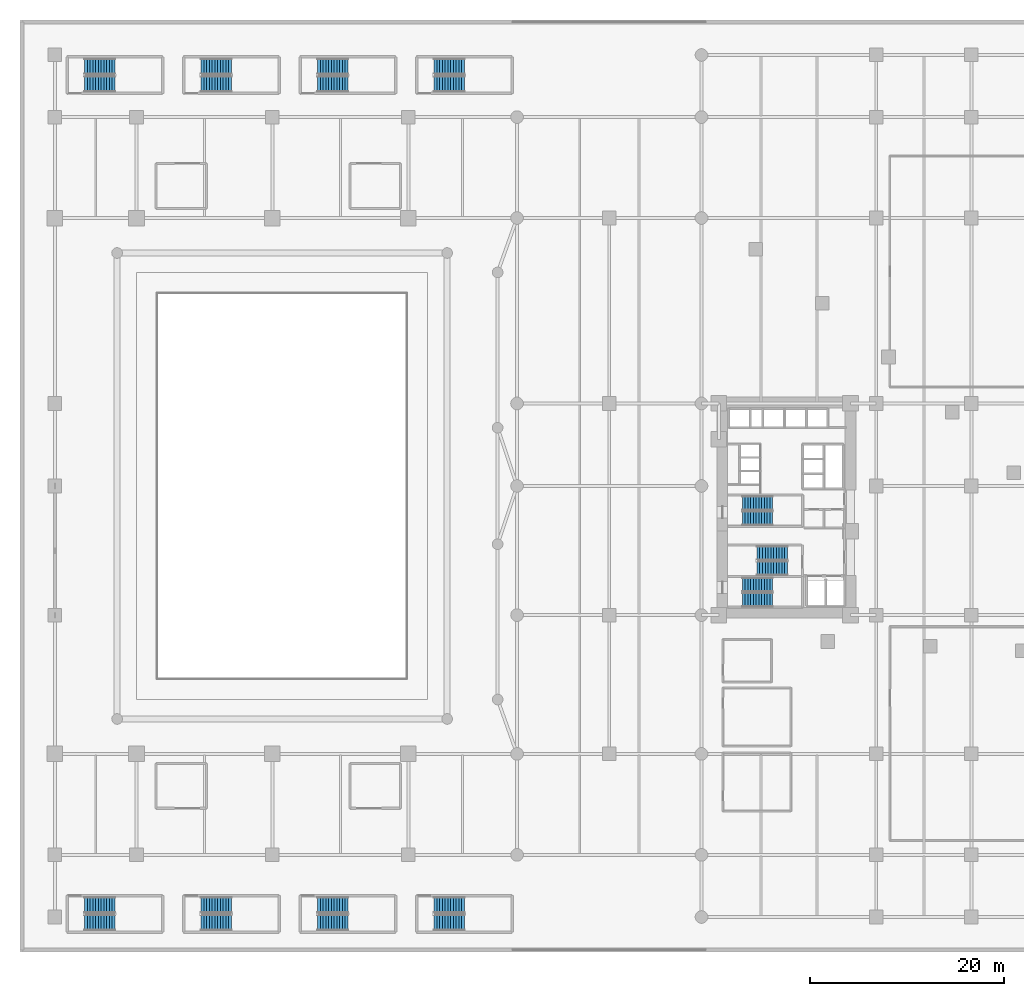
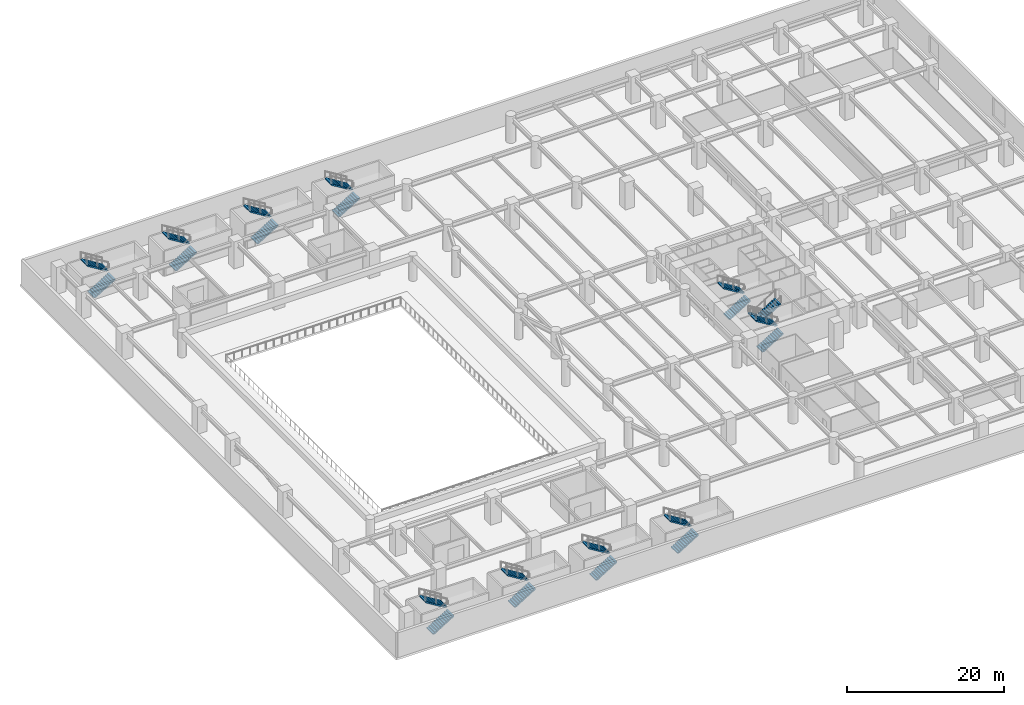
# One storey, part 15 of 25: 22 stair flights, 11 elements without a shape of their own.
"""IFC4 building model written with IfcOpenShell, lengths in metres."""

from ifc_helpers import new_model, si_unit, direction, frame, origin, place, context, subcontext, project, spatial, polyline, outline, extrude, material, type_object, element, aggregate, save


model = new_model("IFC4")

# Units and contexts
model_context = context("Model", 3, precision=1e-05, world=origin(), true_north=direction((0.0, 1.0)))
body_context = subcontext(model_context, "Body", "Model", "MODEL_VIEW")
ifc_project = project(units=[si_unit("LENGTHUNIT", "METRE"), si_unit("AREAUNIT", "SQUARE_METRE"), si_unit("VOLUMEUNIT", "CUBIC_METRE"), si_unit("PLANEANGLEUNIT", "RADIAN"), si_unit("MASSUNIT", "GRAM", prefix="KILO")], contexts=[model_context])

# Site, building, storey
site_placement = place(None, origin())
site = spatial("IfcSite", under=ifc_project, at=site_placement, CompositionType="ELEMENT")
building_placement = place(site_placement, origin())
building = spatial("IfcBuilding", under=site, at=building_placement, Name="Narakoshi Arena Tower", CompositionType="ELEMENT")
storey_placement = place(building_placement, frame((0.0, 0.0, 9.0)))
storey = spatial("IfcBuildingStorey", under=building, at=storey_placement, Name="L02", CompositionType="ELEMENT", Elevation=9.0)

# Stair, stair flights
ifc_material_1 = material(Name="Concrete C45/55", Category="concrete")
stair_type_1 = type_object("IfcStairType", Name="STR-PLANT-420", PredefinedType="TWO_STRAIGHT_RUN_STAIR", material=ifc_material_1)
stair_1_placement = place(storey_placement, origin())
stair_1 = element("IfcStair", 1, at=stair_1_placement, inside=storey, type_object=stair_type_1, Name="L02 Core Escape Stair ST1", PredefinedType="TWO_STRAIGHT_RUN_STAIR")
ifc_material_2 = material(Name="Precast concrete C45/55", Category="concrete")
stair_flight_type_1 = type_object("IfcStairFlightType", Name="FLT-145-160", PredefinedType="STRAIGHT", material=ifc_material_2)
stair_flight_1_placement = place(storey_placement, frame((74.39990234375, 36.27490234375, 0.0), z_axis=(0.0, 0.0, 1.0), x_axis=(1.0, 0.0, 0.0)))
stair_flight_1 = element("IfcStairFlight", 2, at=stair_flight_1_placement, type_object=stair_flight_type_1, Name="ST1 flight 1", NumberOfRisers=12, NumberOfTreads=11, PredefinedType="STRAIGHT", RiserHeight=0.175, TreadLength=0.285, context=body_context, shape_type="SweptSolid", body=[
    extrude(outline(polyline([(0.0, 0.0), (0.0, 0.175048828125), (0.284912109375, 0.175048828125), (0.284912109375, 0.35009765625), (0.570068359375, 0.35009765625), (0.570068359375, 0.52490234375), (0.85498046875, 0.52490234375), (0.85498046875, 0.699951171875), (1.139892578125, 0.699951171875), (1.139892578125, 0.875), (1.425048828125, 0.875), (1.425048828125, 1.050048828125), (1.7099609375, 1.050048828125), (1.7099609375, 1.22509765625), (1.9951171875, 1.22509765625), (1.9951171875, 1.39990234375), (2.280029296875, 1.39990234375), (2.280029296875, 1.574951171875), (2.56494140625, 1.574951171875), (2.56494140625, 1.75), (2.85009765625, 1.75), (2.85009765625, 1.925048828125), (3.135009765625, 1.925048828125), (3.135009765625, 2.10009765625), (3.135009765625, 1.7490234375), (0.286376953125, 0.0), (0.0, 0.0)])), frame((0.0, 0.72509765625, 0.0), z_axis=(0.0, -1.0, 0.0), x_axis=(1.0, 0.0, 0.0)), (0.0, 0.0, 1.0), 1.449951171875),
])
stair_flight_2_placement = place(storey_placement, frame((77.534912109375, 37.824951171875, 2.10009765625), z_axis=(0.0, 0.0, 1.0), x_axis=(-1.0, 0.0, 0.0)))
stair_flight_2 = element("IfcStairFlight", 3, at=stair_flight_2_placement, type_object=stair_flight_type_1, Name="ST1 flight 2", NumberOfRisers=12, NumberOfTreads=11, PredefinedType="STRAIGHT", RiserHeight=0.175, TreadLength=0.285, context=body_context, shape_type="SweptSolid", body=[
    extrude(outline(polyline([(0.0, 0.0), (0.0, 0.175048828125), (0.284912109375, 0.175048828125), (0.284912109375, 0.35009765625), (0.570068359375, 0.35009765625), (0.570068359375, 0.52490234375), (0.85498046875, 0.52490234375), (0.85498046875, 0.699951171875), (1.139892578125, 0.699951171875), (1.139892578125, 0.875), (1.425048828125, 0.875), (1.425048828125, 1.050048828125), (1.7099609375, 1.050048828125), (1.7099609375, 1.22509765625), (1.9951171875, 1.22509765625), (1.9951171875, 1.39990234375), (2.280029296875, 1.39990234375), (2.280029296875, 1.574951171875), (2.56494140625, 1.574951171875), (2.56494140625, 1.75), (2.85009765625, 1.75), (2.85009765625, 1.925048828125), (3.135009765625, 1.925048828125), (3.135009765625, 2.10009765625), (3.135009765625, 1.7490234375), (0.286376953125, 0.0), (0.0, 0.0)])), frame((0.0, 0.72509765625, 0.0), z_axis=(0.0, -1.0, 0.0), x_axis=(1.0, 0.0, 0.0)), (0.0, 0.0, 1.0), 1.449951171875),
])
aggregate(stair_1, [stair_flight_1, stair_flight_2])

stair_2_placement = place(storey_placement, origin())
stair_2 = element("IfcStair", 4, at=stair_2_placement, inside=storey, type_object=stair_type_1, Name="L02 Core Escape Stair ST2", PredefinedType="TWO_STRAIGHT_RUN_STAIR")
stair_flight_3_placement = place(storey_placement, frame((79.050048828125, 41.074951171875, 0.0), z_axis=(0.0, 0.0, 1.0), x_axis=(-1.0, 0.0, 0.0)))
stair_flight_3 = element("IfcStairFlight", 5, at=stair_flight_3_placement, type_object=stair_flight_type_1, Name="ST2 flight 1", NumberOfRisers=12, NumberOfTreads=11, PredefinedType="STRAIGHT", RiserHeight=0.175, TreadLength=0.285, context=body_context, shape_type="SweptSolid", body=[
    extrude(outline(polyline([(0.0, 0.0), (0.0, 0.175048828125), (0.284912109375, 0.175048828125), (0.284912109375, 0.35009765625), (0.570068359375, 0.35009765625), (0.570068359375, 0.52490234375), (0.85498046875, 0.52490234375), (0.85498046875, 0.699951171875), (1.139892578125, 0.699951171875), (1.139892578125, 0.875), (1.425048828125, 0.875), (1.425048828125, 1.050048828125), (1.7099609375, 1.050048828125), (1.7099609375, 1.22509765625), (1.9951171875, 1.22509765625), (1.9951171875, 1.39990234375), (2.280029296875, 1.39990234375), (2.280029296875, 1.574951171875), (2.56494140625, 1.574951171875), (2.56494140625, 1.75), (2.85009765625, 1.75), (2.85009765625, 1.925048828125), (3.135009765625, 1.925048828125), (3.135009765625, 2.10009765625), (3.135009765625, 1.7490234375), (0.286376953125, 0.0), (0.0, 0.0)])), frame((0.0, 0.72509765625, 0.0), z_axis=(0.0, -1.0, 0.0), x_axis=(1.0, 0.0, 0.0)), (0.0, 0.0, 1.0), 1.449951171875),
])
stair_flight_4_placement = place(storey_placement, frame((75.9150390625, 39.52490234375, 2.10009765625), z_axis=(0.0, 0.0, 1.0), x_axis=(1.0, 0.0, 0.0)))
stair_flight_4 = element("IfcStairFlight", 6, at=stair_flight_4_placement, type_object=stair_flight_type_1, Name="ST2 flight 2", NumberOfRisers=12, NumberOfTreads=11, PredefinedType="STRAIGHT", RiserHeight=0.175, TreadLength=0.285, context=body_context, shape_type="SweptSolid", body=[
    extrude(outline(polyline([(0.0, 0.0), (0.0, 0.175048828125), (0.284912109375, 0.175048828125), (0.284912109375, 0.35009765625), (0.570068359375, 0.35009765625), (0.570068359375, 0.52490234375), (0.85498046875, 0.52490234375), (0.85498046875, 0.699951171875), (1.139892578125, 0.699951171875), (1.139892578125, 0.875), (1.425048828125, 0.875), (1.425048828125, 1.050048828125), (1.7099609375, 1.050048828125), (1.7099609375, 1.22509765625), (1.9951171875, 1.22509765625), (1.9951171875, 1.39990234375), (2.280029296875, 1.39990234375), (2.280029296875, 1.574951171875), (2.56494140625, 1.574951171875), (2.56494140625, 1.75), (2.85009765625, 1.75), (2.85009765625, 1.925048828125), (3.135009765625, 1.925048828125), (3.135009765625, 2.10009765625), (3.135009765625, 1.7490234375), (0.286376953125, 0.0), (0.0, 0.0)])), frame((0.0, 0.72509765625, 0.0), z_axis=(0.0, -1.0, 0.0), x_axis=(1.0, 0.0, 0.0)), (0.0, 0.0, 1.0), 1.449951171875),
])
aggregate(stair_2, [stair_flight_3, stair_flight_4])

stair_3_placement = place(storey_placement, origin())
stair_3 = element("IfcStair", 7, at=stair_3_placement, inside=storey, type_object=stair_type_1, Name="L02 Core Escape Stair ST3", PredefinedType="TWO_STRAIGHT_RUN_STAIR")
stair_flight_5_placement = place(storey_placement, frame((74.39990234375, 44.675048828125, 0.0), z_axis=(0.0, 0.0, 1.0), x_axis=(1.0, 0.0, 0.0)))
stair_flight_5 = element("IfcStairFlight", 8, at=stair_flight_5_placement, type_object=stair_flight_type_1, Name="ST3 flight 1", NumberOfRisers=12, NumberOfTreads=11, PredefinedType="STRAIGHT", RiserHeight=0.175, TreadLength=0.285, context=body_context, shape_type="SweptSolid", body=[
    extrude(outline(polyline([(0.0, 0.0), (0.0, 0.175048828125), (0.284912109375, 0.175048828125), (0.284912109375, 0.35009765625), (0.570068359375, 0.35009765625), (0.570068359375, 0.52490234375), (0.85498046875, 0.52490234375), (0.85498046875, 0.699951171875), (1.139892578125, 0.699951171875), (1.139892578125, 0.875), (1.425048828125, 0.875), (1.425048828125, 1.050048828125), (1.7099609375, 1.050048828125), (1.7099609375, 1.22509765625), (1.9951171875, 1.22509765625), (1.9951171875, 1.39990234375), (2.280029296875, 1.39990234375), (2.280029296875, 1.574951171875), (2.56494140625, 1.574951171875), (2.56494140625, 1.75), (2.85009765625, 1.75), (2.85009765625, 1.925048828125), (3.135009765625, 1.925048828125), (3.135009765625, 2.10009765625), (3.135009765625, 1.7490234375), (0.286376953125, 0.0), (0.0, 0.0)])), frame((0.0, 0.72509765625, 0.0), z_axis=(0.0, -1.0, 0.0), x_axis=(1.0, 0.0, 0.0)), (0.0, 0.0, 1.0), 1.449951171875),
])
stair_flight_6_placement = place(storey_placement, frame((77.534912109375, 46.22509765625, 2.10009765625), z_axis=(0.0, 0.0, 1.0), x_axis=(-1.0, 0.0, 0.0)))
stair_flight_6 = element("IfcStairFlight", 9, at=stair_flight_6_placement, type_object=stair_flight_type_1, Name="ST3 flight 2", NumberOfRisers=12, NumberOfTreads=11, PredefinedType="STRAIGHT", RiserHeight=0.175, TreadLength=0.285, context=body_context, shape_type="SweptSolid", body=[
    extrude(outline(polyline([(0.0, 0.0), (0.0, 0.175048828125), (0.284912109375, 0.175048828125), (0.284912109375, 0.35009765625), (0.570068359375, 0.35009765625), (0.570068359375, 0.52490234375), (0.85498046875, 0.52490234375), (0.85498046875, 0.699951171875), (1.139892578125, 0.699951171875), (1.139892578125, 0.875), (1.425048828125, 0.875), (1.425048828125, 1.050048828125), (1.7099609375, 1.050048828125), (1.7099609375, 1.22509765625), (1.9951171875, 1.22509765625), (1.9951171875, 1.39990234375), (2.280029296875, 1.39990234375), (2.280029296875, 1.574951171875), (2.56494140625, 1.574951171875), (2.56494140625, 1.75), (2.85009765625, 1.75), (2.85009765625, 1.925048828125), (3.135009765625, 1.925048828125), (3.135009765625, 2.10009765625), (3.135009765625, 1.7490234375), (0.286376953125, 0.0), (0.0, 0.0)])), frame((0.0, 0.72509765625, 0.0), z_axis=(0.0, -1.0, 0.0), x_axis=(1.0, 0.0, 0.0)), (0.0, 0.0, 1.0), 1.449951171875),
])
aggregate(stair_3, [stair_flight_5, stair_flight_6])

stair_type_2 = type_object("IfcStairType", Name="STR-ARN-2400", PredefinedType="TWO_STRAIGHT_RUN_STAIR", material=ifc_material_1)
stair_4_placement = place(storey_placement, origin())
stair_4 = element("IfcStair", 10, at=stair_4_placement, inside=storey, type_object=stair_type_2, Name="L02 Arena Crowd Escape Stair AST1", PredefinedType="TWO_STRAIGHT_RUN_STAIR")
stair_flight_type_2 = type_object("IfcStairFlightType", Name="FLT-240-150", PredefinedType="STRAIGHT", material=ifc_material_2)
stair_flight_7_placement = place(storey_placement, frame((6.64990234375, 3.02490234375, 0.0), z_axis=(0.0, 0.0, 1.0), x_axis=(1.0, 0.0, 0.0)))
stair_flight_7 = element("IfcStairFlight", 11, at=stair_flight_7_placement, type_object=stair_flight_type_2, Name="AST1 flight 1", NumberOfRisers=12, NumberOfTreads=11, PredefinedType="STRAIGHT", RiserHeight=0.175, TreadLength=0.285, context=body_context, shape_type="SweptSolid", body=[
    extrude(outline(polyline([(0.0, 0.0), (0.0, 0.175048828125), (0.284912109375, 0.175048828125), (0.284912109375, 0.35009765625), (0.570068359375, 0.35009765625), (0.570068359375, 0.52490234375), (0.85498046875, 0.52490234375), (0.85498046875, 0.699951171875), (1.139892578125, 0.699951171875), (1.139892578125, 0.875), (1.425048828125, 0.875), (1.425048828125, 1.050048828125), (1.7099609375, 1.050048828125), (1.7099609375, 1.22509765625), (1.9951171875, 1.22509765625), (1.9951171875, 1.39990234375), (2.280029296875, 1.39990234375), (2.280029296875, 1.574951171875), (2.56494140625, 1.574951171875), (2.56494140625, 1.75), (2.85009765625, 1.75), (2.85009765625, 1.925048828125), (3.135009765625, 1.925048828125), (3.135009765625, 2.10009765625), (3.135009765625, 1.7490234375), (0.286376953125, 0.0), (0.0, 0.0)])), frame((0.0, 0.824951171875, 0.0), z_axis=(0.0, -1.0, 0.0), x_axis=(1.0, 0.0, 0.0)), (0.0, 0.0, 1.0), 1.64990234375),
])
stair_flight_8_placement = place(storey_placement, frame((9.784912109375, 4.824951171875, 2.10009765625), z_axis=(0.0, 0.0, 1.0), x_axis=(-1.0, 0.0, 0.0)))
stair_flight_8 = element("IfcStairFlight", 12, at=stair_flight_8_placement, type_object=stair_flight_type_2, Name="AST1 flight 2", NumberOfRisers=12, NumberOfTreads=11, PredefinedType="STRAIGHT", RiserHeight=0.175, TreadLength=0.285, context=body_context, shape_type="SweptSolid", body=[
    extrude(outline(polyline([(0.0, 0.0), (0.0, 0.175048828125), (0.284912109375, 0.175048828125), (0.284912109375, 0.35009765625), (0.570068359375, 0.35009765625), (0.570068359375, 0.52490234375), (0.85498046875, 0.52490234375), (0.85498046875, 0.699951171875), (1.139892578125, 0.699951171875), (1.139892578125, 0.875), (1.425048828125, 0.875), (1.425048828125, 1.050048828125), (1.7099609375, 1.050048828125), (1.7099609375, 1.22509765625), (1.9951171875, 1.22509765625), (1.9951171875, 1.39990234375), (2.280029296875, 1.39990234375), (2.280029296875, 1.574951171875), (2.56494140625, 1.574951171875), (2.56494140625, 1.75), (2.85009765625, 1.75), (2.85009765625, 1.925048828125), (3.135009765625, 1.925048828125), (3.135009765625, 2.10009765625), (3.135009765625, 1.7490234375), (0.286376953125, 0.0), (0.0, 0.0)])), frame((0.0, 0.824951171875, 0.0), z_axis=(0.0, -1.0, 0.0), x_axis=(1.0, 0.0, 0.0)), (0.0, 0.0, 1.0), 1.64990234375),
])
aggregate(stair_4, [stair_flight_7, stair_flight_8])

stair_5_placement = place(storey_placement, origin())
stair_5 = element("IfcStair", 13, at=stair_5_placement, inside=storey, type_object=stair_type_2, Name="L02 Arena Crowd Escape Stair AST2", PredefinedType="TWO_STRAIGHT_RUN_STAIR")
stair_flight_9_placement = place(storey_placement, frame((18.64990234375, 3.02490234375, 0.0), z_axis=(0.0, 0.0, 1.0), x_axis=(1.0, 0.0, 0.0)))
stair_flight_9 = element("IfcStairFlight", 14, at=stair_flight_9_placement, type_object=stair_flight_type_2, Name="AST2 flight 1", NumberOfRisers=12, NumberOfTreads=11, PredefinedType="STRAIGHT", RiserHeight=0.175, TreadLength=0.285, context=body_context, shape_type="SweptSolid", body=[
    extrude(outline(polyline([(0.0, 0.0), (0.0, 0.175048828125), (0.284912109375, 0.175048828125), (0.284912109375, 0.35009765625), (0.570068359375, 0.35009765625), (0.570068359375, 0.52490234375), (0.85498046875, 0.52490234375), (0.85498046875, 0.699951171875), (1.139892578125, 0.699951171875), (1.139892578125, 0.875), (1.425048828125, 0.875), (1.425048828125, 1.050048828125), (1.7099609375, 1.050048828125), (1.7099609375, 1.22509765625), (1.9951171875, 1.22509765625), (1.9951171875, 1.39990234375), (2.280029296875, 1.39990234375), (2.280029296875, 1.574951171875), (2.56494140625, 1.574951171875), (2.56494140625, 1.75), (2.85009765625, 1.75), (2.85009765625, 1.925048828125), (3.135009765625, 1.925048828125), (3.135009765625, 2.10009765625), (3.135009765625, 1.7490234375), (0.286376953125, 0.0), (0.0, 0.0)])), frame((0.0, 0.824951171875, 0.0), z_axis=(0.0, -1.0, 0.0), x_axis=(1.0, 0.0, 0.0)), (0.0, 0.0, 1.0), 1.64990234375),
])
stair_flight_10_placement = place(storey_placement, frame((21.784912109375, 4.824951171875, 2.10009765625), z_axis=(0.0, 0.0, 1.0), x_axis=(-1.0, 0.0, 0.0)))
stair_flight_10 = element("IfcStairFlight", 15, at=stair_flight_10_placement, type_object=stair_flight_type_2, Name="AST2 flight 2", NumberOfRisers=12, NumberOfTreads=11, PredefinedType="STRAIGHT", RiserHeight=0.175, TreadLength=0.285, context=body_context, shape_type="SweptSolid", body=[
    extrude(outline(polyline([(0.0, 0.0), (0.0, 0.175048828125), (0.284912109375, 0.175048828125), (0.284912109375, 0.35009765625), (0.570068359375, 0.35009765625), (0.570068359375, 0.52490234375), (0.85498046875, 0.52490234375), (0.85498046875, 0.699951171875), (1.139892578125, 0.699951171875), (1.139892578125, 0.875), (1.425048828125, 0.875), (1.425048828125, 1.050048828125), (1.7099609375, 1.050048828125), (1.7099609375, 1.22509765625), (1.9951171875, 1.22509765625), (1.9951171875, 1.39990234375), (2.280029296875, 1.39990234375), (2.280029296875, 1.574951171875), (2.56494140625, 1.574951171875), (2.56494140625, 1.75), (2.85009765625, 1.75), (2.85009765625, 1.925048828125), (3.135009765625, 1.925048828125), (3.135009765625, 2.10009765625), (3.135009765625, 1.7490234375), (0.286376953125, 0.0), (0.0, 0.0)])), frame((0.0, 0.824951171875, 0.0), z_axis=(0.0, -1.0, 0.0), x_axis=(1.0, 0.0, 0.0)), (0.0, 0.0, 1.0), 1.64990234375),
])
aggregate(stair_5, [stair_flight_9, stair_flight_10])

stair_6_placement = place(storey_placement, origin())
stair_6 = element("IfcStair", 16, at=stair_6_placement, inside=storey, type_object=stair_type_2, Name="L02 Arena Crowd Escape Stair AST3", PredefinedType="TWO_STRAIGHT_RUN_STAIR")
stair_flight_11_placement = place(storey_placement, frame((30.64990234375, 3.02490234375, 0.0), z_axis=(0.0, 0.0, 1.0), x_axis=(1.0, 0.0, 0.0)))
stair_flight_11 = element("IfcStairFlight", 17, at=stair_flight_11_placement, type_object=stair_flight_type_2, Name="AST3 flight 1", NumberOfRisers=12, NumberOfTreads=11, PredefinedType="STRAIGHT", RiserHeight=0.175, TreadLength=0.285, context=body_context, shape_type="SweptSolid", body=[
    extrude(outline(polyline([(0.0, 0.0), (0.0, 0.175048828125), (0.284912109375, 0.175048828125), (0.284912109375, 0.35009765625), (0.570068359375, 0.35009765625), (0.570068359375, 0.52490234375), (0.85498046875, 0.52490234375), (0.85498046875, 0.699951171875), (1.139892578125, 0.699951171875), (1.139892578125, 0.875), (1.425048828125, 0.875), (1.425048828125, 1.050048828125), (1.7099609375, 1.050048828125), (1.7099609375, 1.22509765625), (1.9951171875, 1.22509765625), (1.9951171875, 1.39990234375), (2.280029296875, 1.39990234375), (2.280029296875, 1.574951171875), (2.56494140625, 1.574951171875), (2.56494140625, 1.75), (2.85009765625, 1.75), (2.85009765625, 1.925048828125), (3.135009765625, 1.925048828125), (3.135009765625, 2.10009765625), (3.135009765625, 1.7490234375), (0.286376953125, 0.0), (0.0, 0.0)])), frame((0.0, 0.824951171875, 0.0), z_axis=(0.0, -1.0, 0.0), x_axis=(1.0, 0.0, 0.0)), (0.0, 0.0, 1.0), 1.64990234375),
])
stair_flight_12_placement = place(storey_placement, frame((33.784912109375, 4.824951171875, 2.10009765625), z_axis=(0.0, 0.0, 1.0), x_axis=(-1.0, 0.0, 0.0)))
stair_flight_12 = element("IfcStairFlight", 18, at=stair_flight_12_placement, type_object=stair_flight_type_2, Name="AST3 flight 2", NumberOfRisers=12, NumberOfTreads=11, PredefinedType="STRAIGHT", RiserHeight=0.175, TreadLength=0.285, context=body_context, shape_type="SweptSolid", body=[
    extrude(outline(polyline([(0.0, 0.0), (0.0, 0.175048828125), (0.284912109375, 0.175048828125), (0.284912109375, 0.35009765625), (0.570068359375, 0.35009765625), (0.570068359375, 0.52490234375), (0.85498046875, 0.52490234375), (0.85498046875, 0.699951171875), (1.139892578125, 0.699951171875), (1.139892578125, 0.875), (1.425048828125, 0.875), (1.425048828125, 1.050048828125), (1.7099609375, 1.050048828125), (1.7099609375, 1.22509765625), (1.9951171875, 1.22509765625), (1.9951171875, 1.39990234375), (2.280029296875, 1.39990234375), (2.280029296875, 1.574951171875), (2.56494140625, 1.574951171875), (2.56494140625, 1.75), (2.85009765625, 1.75), (2.85009765625, 1.925048828125), (3.135009765625, 1.925048828125), (3.135009765625, 2.10009765625), (3.135009765625, 1.7490234375), (0.286376953125, 0.0), (0.0, 0.0)])), frame((0.0, 0.824951171875, 0.0), z_axis=(0.0, -1.0, 0.0), x_axis=(1.0, 0.0, 0.0)), (0.0, 0.0, 1.0), 1.64990234375),
])
aggregate(stair_6, [stair_flight_11, stair_flight_12])

stair_7_placement = place(storey_placement, origin())
stair_7 = element("IfcStair", 19, at=stair_7_placement, inside=storey, type_object=stair_type_2, Name="L02 Arena Crowd Escape Stair AST4", PredefinedType="TWO_STRAIGHT_RUN_STAIR")
stair_flight_13_placement = place(storey_placement, frame((42.64990234375, 3.02490234375, 0.0), z_axis=(0.0, 0.0, 1.0), x_axis=(1.0, 0.0, 0.0)))
stair_flight_13 = element("IfcStairFlight", 20, at=stair_flight_13_placement, type_object=stair_flight_type_2, Name="AST4 flight 1", NumberOfRisers=12, NumberOfTreads=11, PredefinedType="STRAIGHT", RiserHeight=0.175, TreadLength=0.285, context=body_context, shape_type="SweptSolid", body=[
    extrude(outline(polyline([(0.0, 0.0), (0.0, 0.175048828125), (0.284912109375, 0.175048828125), (0.284912109375, 0.35009765625), (0.570068359375, 0.35009765625), (0.570068359375, 0.52490234375), (0.85498046875, 0.52490234375), (0.85498046875, 0.699951171875), (1.139892578125, 0.699951171875), (1.139892578125, 0.875), (1.425048828125, 0.875), (1.425048828125, 1.050048828125), (1.7099609375, 1.050048828125), (1.7099609375, 1.22509765625), (1.9951171875, 1.22509765625), (1.9951171875, 1.39990234375), (2.280029296875, 1.39990234375), (2.280029296875, 1.574951171875), (2.56494140625, 1.574951171875), (2.56494140625, 1.75), (2.85009765625, 1.75), (2.85009765625, 1.925048828125), (3.135009765625, 1.925048828125), (3.135009765625, 2.10009765625), (3.135009765625, 1.7490234375), (0.286376953125, 0.0), (0.0, 0.0)])), frame((0.0, 0.824951171875, 0.0), z_axis=(0.0, -1.0, 0.0), x_axis=(1.0, 0.0, 0.0)), (0.0, 0.0, 1.0), 1.64990234375),
])
stair_flight_14_placement = place(storey_placement, frame((45.784912109375, 4.824951171875, 2.10009765625), z_axis=(0.0, 0.0, 1.0), x_axis=(-1.0, 0.0, 0.0)))
stair_flight_14 = element("IfcStairFlight", 21, at=stair_flight_14_placement, type_object=stair_flight_type_2, Name="AST4 flight 2", NumberOfRisers=12, NumberOfTreads=11, PredefinedType="STRAIGHT", RiserHeight=0.175, TreadLength=0.285, context=body_context, shape_type="SweptSolid", body=[
    extrude(outline(polyline([(0.0, 0.0), (0.0, 0.175048828125), (0.284912109375, 0.175048828125), (0.284912109375, 0.35009765625), (0.570068359375, 0.35009765625), (0.570068359375, 0.52490234375), (0.85498046875, 0.52490234375), (0.85498046875, 0.699951171875), (1.139892578125, 0.699951171875), (1.139892578125, 0.875), (1.425048828125, 0.875), (1.425048828125, 1.050048828125), (1.7099609375, 1.050048828125), (1.7099609375, 1.22509765625), (1.9951171875, 1.22509765625), (1.9951171875, 1.39990234375), (2.280029296875, 1.39990234375), (2.280029296875, 1.574951171875), (2.56494140625, 1.574951171875), (2.56494140625, 1.75), (2.85009765625, 1.75), (2.85009765625, 1.925048828125), (3.135009765625, 1.925048828125), (3.135009765625, 2.10009765625), (3.135009765625, 1.7490234375), (0.286376953125, 0.0), (0.0, 0.0)])), frame((0.0, 0.824951171875, 0.0), z_axis=(0.0, -1.0, 0.0), x_axis=(1.0, 0.0, 0.0)), (0.0, 0.0, 1.0), 1.64990234375),
])
aggregate(stair_7, [stair_flight_13, stair_flight_14])

stair_8_placement = place(storey_placement, origin())
stair_8 = element("IfcStair", 22, at=stair_8_placement, inside=storey, type_object=stair_type_2, Name="L02 Arena Crowd Escape Stair AST5", PredefinedType="TWO_STRAIGHT_RUN_STAIR")
stair_flight_15_placement = place(storey_placement, frame((6.64990234375, 89.425048828125, 0.0), z_axis=(0.0, 0.0, 1.0), x_axis=(1.0, 0.0, 0.0)))
stair_flight_15 = element("IfcStairFlight", 23, at=stair_flight_15_placement, type_object=stair_flight_type_2, Name="AST5 flight 1", NumberOfRisers=12, NumberOfTreads=11, PredefinedType="STRAIGHT", RiserHeight=0.175, TreadLength=0.285, context=body_context, shape_type="SweptSolid", body=[
    extrude(outline(polyline([(0.0, 0.0), (0.0, 0.175048828125), (0.284912109375, 0.175048828125), (0.284912109375, 0.35009765625), (0.570068359375, 0.35009765625), (0.570068359375, 0.52490234375), (0.85498046875, 0.52490234375), (0.85498046875, 0.699951171875), (1.139892578125, 0.699951171875), (1.139892578125, 0.875), (1.425048828125, 0.875), (1.425048828125, 1.050048828125), (1.7099609375, 1.050048828125), (1.7099609375, 1.22509765625), (1.9951171875, 1.22509765625), (1.9951171875, 1.39990234375), (2.280029296875, 1.39990234375), (2.280029296875, 1.574951171875), (2.56494140625, 1.574951171875), (2.56494140625, 1.75), (2.85009765625, 1.75), (2.85009765625, 1.925048828125), (3.135009765625, 1.925048828125), (3.135009765625, 2.10009765625), (3.135009765625, 1.7490234375), (0.286376953125, 0.0), (0.0, 0.0)])), frame((0.0, 0.824951171875, 0.0), z_axis=(0.0, -1.0, 0.0), x_axis=(1.0, 0.0, 0.0)), (0.0, 0.0, 1.0), 1.64990234375),
])
stair_flight_16_placement = place(storey_placement, frame((9.784912109375, 91.22509765625, 2.10009765625), z_axis=(0.0, 0.0, 1.0), x_axis=(-1.0, 0.0, 0.0)))
stair_flight_16 = element("IfcStairFlight", 24, at=stair_flight_16_placement, type_object=stair_flight_type_2, Name="AST5 flight 2", NumberOfRisers=12, NumberOfTreads=11, PredefinedType="STRAIGHT", RiserHeight=0.175, TreadLength=0.285, context=body_context, shape_type="SweptSolid", body=[
    extrude(outline(polyline([(0.0, 0.0), (0.0, 0.175048828125), (0.284912109375, 0.175048828125), (0.284912109375, 0.35009765625), (0.570068359375, 0.35009765625), (0.570068359375, 0.52490234375), (0.85498046875, 0.52490234375), (0.85498046875, 0.699951171875), (1.139892578125, 0.699951171875), (1.139892578125, 0.875), (1.425048828125, 0.875), (1.425048828125, 1.050048828125), (1.7099609375, 1.050048828125), (1.7099609375, 1.22509765625), (1.9951171875, 1.22509765625), (1.9951171875, 1.39990234375), (2.280029296875, 1.39990234375), (2.280029296875, 1.574951171875), (2.56494140625, 1.574951171875), (2.56494140625, 1.75), (2.85009765625, 1.75), (2.85009765625, 1.925048828125), (3.135009765625, 1.925048828125), (3.135009765625, 2.10009765625), (3.135009765625, 1.7490234375), (0.286376953125, 0.0), (0.0, 0.0)])), frame((0.0, 0.824951171875, 0.0), z_axis=(0.0, -1.0, 0.0), x_axis=(1.0, 0.0, 0.0)), (0.0, 0.0, 1.0), 1.64990234375),
])
aggregate(stair_8, [stair_flight_15, stair_flight_16])

stair_9_placement = place(storey_placement, origin())
stair_9 = element("IfcStair", 25, at=stair_9_placement, inside=storey, type_object=stair_type_2, Name="L02 Arena Crowd Escape Stair AST6", PredefinedType="TWO_STRAIGHT_RUN_STAIR")
stair_flight_17_placement = place(storey_placement, frame((18.64990234375, 89.425048828125, 0.0), z_axis=(0.0, 0.0, 1.0), x_axis=(1.0, 0.0, 0.0)))
stair_flight_17 = element("IfcStairFlight", 26, at=stair_flight_17_placement, type_object=stair_flight_type_2, Name="AST6 flight 1", NumberOfRisers=12, NumberOfTreads=11, PredefinedType="STRAIGHT", RiserHeight=0.175, TreadLength=0.285, context=body_context, shape_type="SweptSolid", body=[
    extrude(outline(polyline([(0.0, 0.0), (0.0, 0.175048828125), (0.284912109375, 0.175048828125), (0.284912109375, 0.35009765625), (0.570068359375, 0.35009765625), (0.570068359375, 0.52490234375), (0.85498046875, 0.52490234375), (0.85498046875, 0.699951171875), (1.139892578125, 0.699951171875), (1.139892578125, 0.875), (1.425048828125, 0.875), (1.425048828125, 1.050048828125), (1.7099609375, 1.050048828125), (1.7099609375, 1.22509765625), (1.9951171875, 1.22509765625), (1.9951171875, 1.39990234375), (2.280029296875, 1.39990234375), (2.280029296875, 1.574951171875), (2.56494140625, 1.574951171875), (2.56494140625, 1.75), (2.85009765625, 1.75), (2.85009765625, 1.925048828125), (3.135009765625, 1.925048828125), (3.135009765625, 2.10009765625), (3.135009765625, 1.7490234375), (0.286376953125, 0.0), (0.0, 0.0)])), frame((0.0, 0.824951171875, 0.0), z_axis=(0.0, -1.0, 0.0), x_axis=(1.0, 0.0, 0.0)), (0.0, 0.0, 1.0), 1.64990234375),
])
stair_flight_18_placement = place(storey_placement, frame((21.784912109375, 91.22509765625, 2.10009765625), z_axis=(0.0, 0.0, 1.0), x_axis=(-1.0, 0.0, 0.0)))
stair_flight_18 = element("IfcStairFlight", 27, at=stair_flight_18_placement, type_object=stair_flight_type_2, Name="AST6 flight 2", NumberOfRisers=12, NumberOfTreads=11, PredefinedType="STRAIGHT", RiserHeight=0.175, TreadLength=0.285, context=body_context, shape_type="SweptSolid", body=[
    extrude(outline(polyline([(0.0, 0.0), (0.0, 0.175048828125), (0.284912109375, 0.175048828125), (0.284912109375, 0.35009765625), (0.570068359375, 0.35009765625), (0.570068359375, 0.52490234375), (0.85498046875, 0.52490234375), (0.85498046875, 0.699951171875), (1.139892578125, 0.699951171875), (1.139892578125, 0.875), (1.425048828125, 0.875), (1.425048828125, 1.050048828125), (1.7099609375, 1.050048828125), (1.7099609375, 1.22509765625), (1.9951171875, 1.22509765625), (1.9951171875, 1.39990234375), (2.280029296875, 1.39990234375), (2.280029296875, 1.574951171875), (2.56494140625, 1.574951171875), (2.56494140625, 1.75), (2.85009765625, 1.75), (2.85009765625, 1.925048828125), (3.135009765625, 1.925048828125), (3.135009765625, 2.10009765625), (3.135009765625, 1.7490234375), (0.286376953125, 0.0), (0.0, 0.0)])), frame((0.0, 0.824951171875, 0.0), z_axis=(0.0, -1.0, 0.0), x_axis=(1.0, 0.0, 0.0)), (0.0, 0.0, 1.0), 1.64990234375),
])
aggregate(stair_9, [stair_flight_17, stair_flight_18])

stair_10_placement = place(storey_placement, origin())
stair_10 = element("IfcStair", 28, at=stair_10_placement, inside=storey, type_object=stair_type_2, Name="L02 Arena Crowd Escape Stair AST7", PredefinedType="TWO_STRAIGHT_RUN_STAIR")
stair_flight_19_placement = place(storey_placement, frame((30.64990234375, 89.425048828125, 0.0), z_axis=(0.0, 0.0, 1.0), x_axis=(1.0, 0.0, 0.0)))
stair_flight_19 = element("IfcStairFlight", 29, at=stair_flight_19_placement, type_object=stair_flight_type_2, Name="AST7 flight 1", NumberOfRisers=12, NumberOfTreads=11, PredefinedType="STRAIGHT", RiserHeight=0.175, TreadLength=0.285, context=body_context, shape_type="SweptSolid", body=[
    extrude(outline(polyline([(0.0, 0.0), (0.0, 0.175048828125), (0.284912109375, 0.175048828125), (0.284912109375, 0.35009765625), (0.570068359375, 0.35009765625), (0.570068359375, 0.52490234375), (0.85498046875, 0.52490234375), (0.85498046875, 0.699951171875), (1.139892578125, 0.699951171875), (1.139892578125, 0.875), (1.425048828125, 0.875), (1.425048828125, 1.050048828125), (1.7099609375, 1.050048828125), (1.7099609375, 1.22509765625), (1.9951171875, 1.22509765625), (1.9951171875, 1.39990234375), (2.280029296875, 1.39990234375), (2.280029296875, 1.574951171875), (2.56494140625, 1.574951171875), (2.56494140625, 1.75), (2.85009765625, 1.75), (2.85009765625, 1.925048828125), (3.135009765625, 1.925048828125), (3.135009765625, 2.10009765625), (3.135009765625, 1.7490234375), (0.286376953125, 0.0), (0.0, 0.0)])), frame((0.0, 0.824951171875, 0.0), z_axis=(0.0, -1.0, 0.0), x_axis=(1.0, 0.0, 0.0)), (0.0, 0.0, 1.0), 1.64990234375),
])
stair_flight_20_placement = place(storey_placement, frame((33.784912109375, 91.22509765625, 2.10009765625), z_axis=(0.0, 0.0, 1.0), x_axis=(-1.0, 0.0, 0.0)))
stair_flight_20 = element("IfcStairFlight", 30, at=stair_flight_20_placement, type_object=stair_flight_type_2, Name="AST7 flight 2", NumberOfRisers=12, NumberOfTreads=11, PredefinedType="STRAIGHT", RiserHeight=0.175, TreadLength=0.285, context=body_context, shape_type="SweptSolid", body=[
    extrude(outline(polyline([(0.0, 0.0), (0.0, 0.175048828125), (0.284912109375, 0.175048828125), (0.284912109375, 0.35009765625), (0.570068359375, 0.35009765625), (0.570068359375, 0.52490234375), (0.85498046875, 0.52490234375), (0.85498046875, 0.699951171875), (1.139892578125, 0.699951171875), (1.139892578125, 0.875), (1.425048828125, 0.875), (1.425048828125, 1.050048828125), (1.7099609375, 1.050048828125), (1.7099609375, 1.22509765625), (1.9951171875, 1.22509765625), (1.9951171875, 1.39990234375), (2.280029296875, 1.39990234375), (2.280029296875, 1.574951171875), (2.56494140625, 1.574951171875), (2.56494140625, 1.75), (2.85009765625, 1.75), (2.85009765625, 1.925048828125), (3.135009765625, 1.925048828125), (3.135009765625, 2.10009765625), (3.135009765625, 1.7490234375), (0.286376953125, 0.0), (0.0, 0.0)])), frame((0.0, 0.824951171875, 0.0), z_axis=(0.0, -1.0, 0.0), x_axis=(1.0, 0.0, 0.0)), (0.0, 0.0, 1.0), 1.64990234375),
])
aggregate(stair_10, [stair_flight_19, stair_flight_20])

stair_11_placement = place(storey_placement, origin())
stair_11 = element("IfcStair", 31, at=stair_11_placement, inside=storey, type_object=stair_type_2, Name="L02 Arena Crowd Escape Stair AST8", PredefinedType="TWO_STRAIGHT_RUN_STAIR")
stair_flight_21_placement = place(storey_placement, frame((42.64990234375, 89.425048828125, 0.0), z_axis=(0.0, 0.0, 1.0), x_axis=(1.0, 0.0, 0.0)))
stair_flight_21 = element("IfcStairFlight", 32, at=stair_flight_21_placement, type_object=stair_flight_type_2, Name="AST8 flight 1", NumberOfRisers=12, NumberOfTreads=11, PredefinedType="STRAIGHT", RiserHeight=0.175, TreadLength=0.285, context=body_context, shape_type="SweptSolid", body=[
    extrude(outline(polyline([(0.0, 0.0), (0.0, 0.175048828125), (0.284912109375, 0.175048828125), (0.284912109375, 0.35009765625), (0.570068359375, 0.35009765625), (0.570068359375, 0.52490234375), (0.85498046875, 0.52490234375), (0.85498046875, 0.699951171875), (1.139892578125, 0.699951171875), (1.139892578125, 0.875), (1.425048828125, 0.875), (1.425048828125, 1.050048828125), (1.7099609375, 1.050048828125), (1.7099609375, 1.22509765625), (1.9951171875, 1.22509765625), (1.9951171875, 1.39990234375), (2.280029296875, 1.39990234375), (2.280029296875, 1.574951171875), (2.56494140625, 1.574951171875), (2.56494140625, 1.75), (2.85009765625, 1.75), (2.85009765625, 1.925048828125), (3.135009765625, 1.925048828125), (3.135009765625, 2.10009765625), (3.135009765625, 1.7490234375), (0.286376953125, 0.0), (0.0, 0.0)])), frame((0.0, 0.824951171875, 0.0), z_axis=(0.0, -1.0, 0.0), x_axis=(1.0, 0.0, 0.0)), (0.0, 0.0, 1.0), 1.64990234375),
])
stair_flight_22_placement = place(storey_placement, frame((45.784912109375, 91.22509765625, 2.10009765625), z_axis=(0.0, 0.0, 1.0), x_axis=(-1.0, 0.0, 0.0)))
stair_flight_22 = element("IfcStairFlight", 33, at=stair_flight_22_placement, type_object=stair_flight_type_2, Name="AST8 flight 2", NumberOfRisers=12, NumberOfTreads=11, PredefinedType="STRAIGHT", RiserHeight=0.175, TreadLength=0.285, context=body_context, shape_type="SweptSolid", body=[
    extrude(outline(polyline([(0.0, 0.0), (0.0, 0.175048828125), (0.284912109375, 0.175048828125), (0.284912109375, 0.35009765625), (0.570068359375, 0.35009765625), (0.570068359375, 0.52490234375), (0.85498046875, 0.52490234375), (0.85498046875, 0.699951171875), (1.139892578125, 0.699951171875), (1.139892578125, 0.875), (1.425048828125, 0.875), (1.425048828125, 1.050048828125), (1.7099609375, 1.050048828125), (1.7099609375, 1.22509765625), (1.9951171875, 1.22509765625), (1.9951171875, 1.39990234375), (2.280029296875, 1.39990234375), (2.280029296875, 1.574951171875), (2.56494140625, 1.574951171875), (2.56494140625, 1.75), (2.85009765625, 1.75), (2.85009765625, 1.925048828125), (3.135009765625, 1.925048828125), (3.135009765625, 2.10009765625), (3.135009765625, 1.7490234375), (0.286376953125, 0.0), (0.0, 0.0)])), frame((0.0, 0.824951171875, 0.0), z_axis=(0.0, -1.0, 0.0), x_axis=(1.0, 0.0, 0.0)), (0.0, 0.0, 1.0), 1.64990234375),
])
aggregate(stair_11, [stair_flight_21, stair_flight_22])

save(model, "model.ifc")
